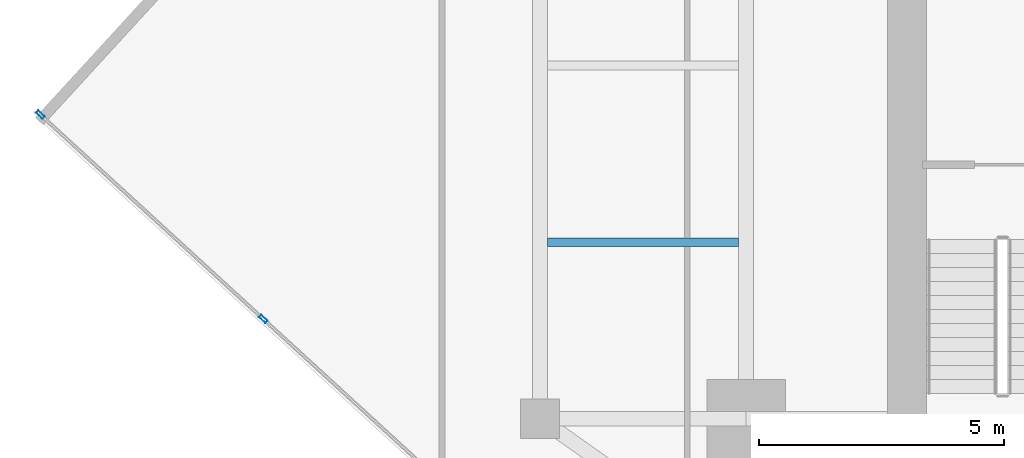
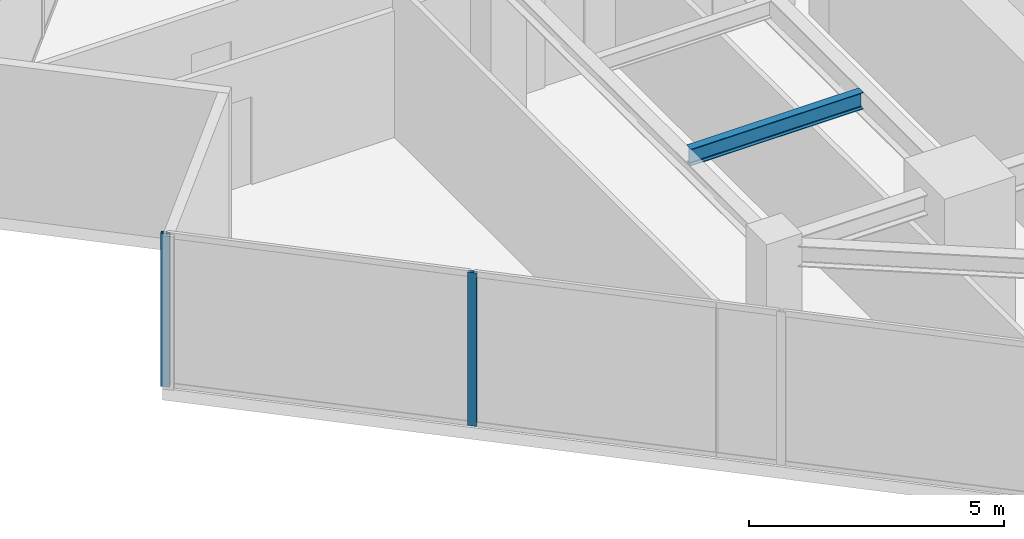
# One storey, part 6 of 26: 2 members, 1 beam, 1 element without a shape of its own.
"""IFC4 building model written with IfcOpenShell, lengths in metres."""

from ifc_helpers import new_model, si_unit, direction, frame, origin, origin_2d, place, context, subcontext, project, spatial, hollow_rectangle, i_section, extrude, source, transform, mapped, material, material_profile, profile_set, type_object, type_shapes, element, aggregate, save


model = new_model("IFC4")

# Units and contexts
model_context = context("Model", 3, precision=1e-05, world=origin(), true_north=direction((0.0, 1.0)))
body_context = subcontext(model_context, "Body", "Model", "MODEL_VIEW")
ifc_project = project(units=[si_unit("LENGTHUNIT", "METRE"), si_unit("AREAUNIT", "SQUARE_METRE"), si_unit("VOLUMEUNIT", "CUBIC_METRE"), si_unit("PLANEANGLEUNIT", "RADIAN"), si_unit("MASSUNIT", "GRAM", prefix="KILO")], contexts=[model_context])

# Site, building, storey
site_placement = place(None, origin())
site = spatial("IfcSite", under=ifc_project, at=site_placement, CompositionType="ELEMENT")
building_placement = place(site_placement, origin())
building = spatial("IfcBuilding", under=site, at=building_placement, Name="Krantzveldt Concourse Tower", CompositionType="ELEMENT")
storey_placement = place(building_placement, frame((0.0, 0.0, 223.10009765625)))
storey = spatial("IfcBuildingStorey", under=building, at=storey_placement, Name="L54", CompositionType="ELEMENT", Elevation=223.10009765625)

# Beam
ifc_material_1 = material(Name="Steel S355JR", Category="steel")
ifc_material_profile_1 = material_profile(ifc_material_1, i_section(OverallWidth=0.179931640625, OverallDepth=0.39990234375, WebThickness=0.008544921875, FlangeThickness=0.013427734375, FilletRadius=0.02099609375, at=origin_2d()), Name="Steel S355JR", Category="steel")
ifc_profile_set_1 = profile_set([ifc_material_profile_1], Name="Steel S355JR - IPE 400")
beam_type = type_object("IfcBeamType", Name="BM-J-IPE400", PredefinedType="JOIST", material=ifc_profile_set_1)
shared_shape_1 = source(origin(), body_context, "Body", "SweptSolid", [
    extrude(i_section(OverallWidth=0.179931640625, OverallDepth=0.39990234375, WebThickness=0.008544921875, FlangeThickness=0.013427734375, FilletRadius=0.02099609375, at=origin_2d()), origin(), (0.0, 0.0, 1.0), 3.900146484375),
])
type_shapes(beam_type, [shared_shape_1])
beam_placement = place(storey_placement, frame((21.14990234375, 19.5, 3.469970703125), z_axis=(1.0, 0.0, 0.0), x_axis=(0.0, 1.0, 0.0)))
element("IfcBeam", 1, at=beam_placement, inside=storey, type_object=beam_type, Name="L54 Secondary Floor Joist JW-1", PredefinedType="JOIST", context=body_context, shape_type="MappedRepresentation", body=[
    mapped(shared_shape_1, transform((0.0, 0.0, 0.0), x_axis=(1.0, 0.0, 0.0), y_axis=(0.0, 1.0, 0.0), z_axis=(0.0, 0.0, 1.0), scale=1.0)),
])

# Curtain wall, members
ifc_material_2 = material(Name="Anodised aluminium 6063-T6", Category="aluminium")
curtain_wall_type = type_object("IfcCurtainWallType", Name="CW3", PredefinedType="USERDEFINED", material=ifc_material_2)
curtain_wall_placement = place(storey_placement, origin())
curtain_wall = element("IfcCurtainWall", 2, at=curtain_wall_placement, inside=storey, type_object=curtain_wall_type, Name="CW-L54-F04", ObjectType="UNITISED CURTAIN WALL", PredefinedType="USERDEFINED")
ifc_material_profile_2 = material_profile(ifc_material_2, hollow_rectangle(XDim=0.070068359375, YDim=0.179931640625, WallThickness=0.0048828125, at=origin_2d()), Name="Anodised aluminium 6063-T6", Category="aluminium")
ifc_profile_set_2 = profile_set([ifc_material_profile_2], Name="Anodised aluminium 6063-T6 - ALU-MULL 180x70x5")
member_type = type_object("IfcMemberType", Name="CW-MUL-180", PredefinedType="MULLION", material=ifc_profile_set_2)
shared_shape_2 = source(origin(), body_context, "Body", "SweptSolid", [
    extrude(hollow_rectangle(XDim=0.070068359375, YDim=0.179931640625, WallThickness=0.0048828125, at=origin_2d()), origin(), (0.0, 0.0, 1.0), 3.669921875),
])
type_shapes(member_type, [shared_shape_2])
member_1_placement = place(storey_placement, frame((10.809326171875, 22.10009765625, 0.0), z_axis=(0.0, 0.0, 1.0), x_axis=(0.675590053651, 0.737277477893, 0.0)))
member_1 = element("IfcMember", 3, at=member_1_placement, type_object=member_type, Name="CW-Z34 mullion 1", PredefinedType="MULLION", context=body_context, shape_type="MappedRepresentation", body=[
    mapped(shared_shape_2, transform((0.0, 0.0, 0.0), x_axis=(1.0, 0.0, 0.0), y_axis=(0.0, 1.0, 0.0), z_axis=(0.0, 0.0, 1.0), scale=1.0)),
])
member_2_placement = place(storey_placement, frame((15.3544921875, 17.93505859375, 0.0), z_axis=(0.0, 0.0, 1.0), x_axis=(0.675590053651, 0.737277477893, 0.0)))
member_2 = element("IfcMember", 4, at=member_2_placement, type_object=member_type, Name="CW-Z34 mullion 2", PredefinedType="MULLION", context=body_context, shape_type="MappedRepresentation", body=[
    mapped(shared_shape_2, transform((0.0, 0.0, 0.0), x_axis=(1.0, 0.0, 0.0), y_axis=(0.0, 1.0, 0.0), z_axis=(0.0, 0.0, 1.0), scale=1.0)),
])
aggregate(curtain_wall, [member_1, member_2])

save(model, "model.ifc")
